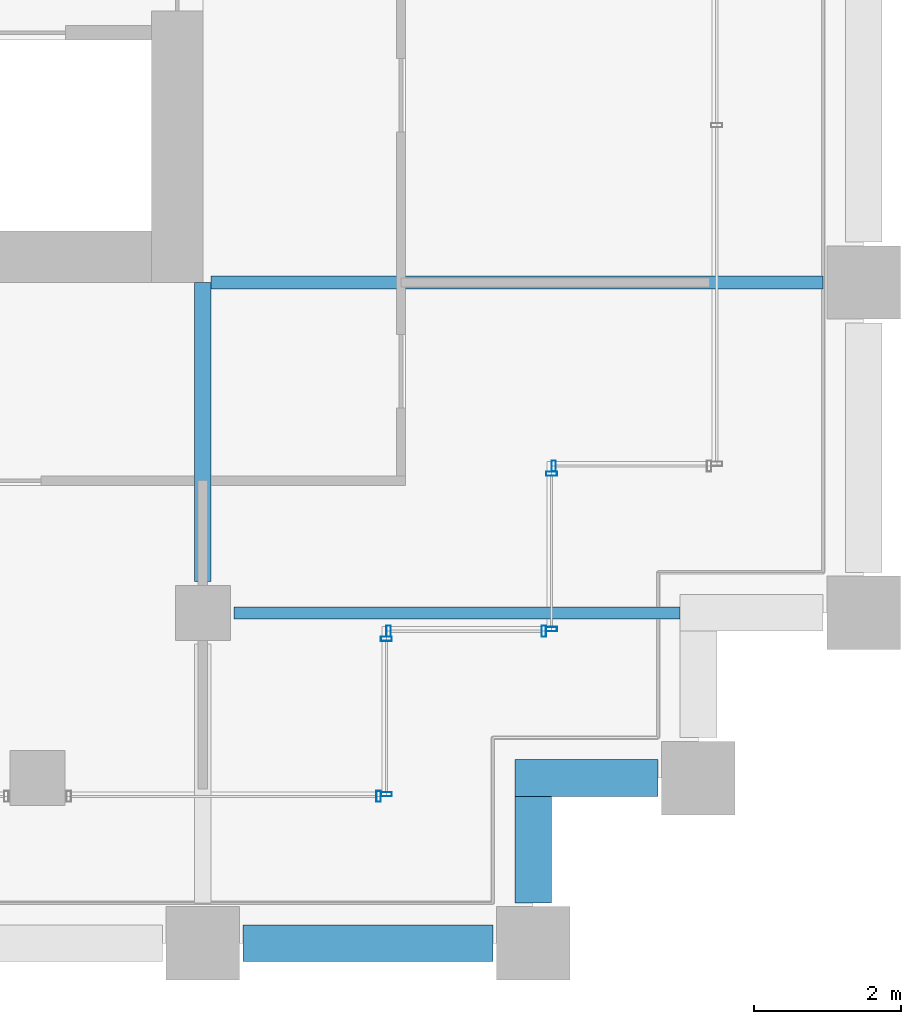
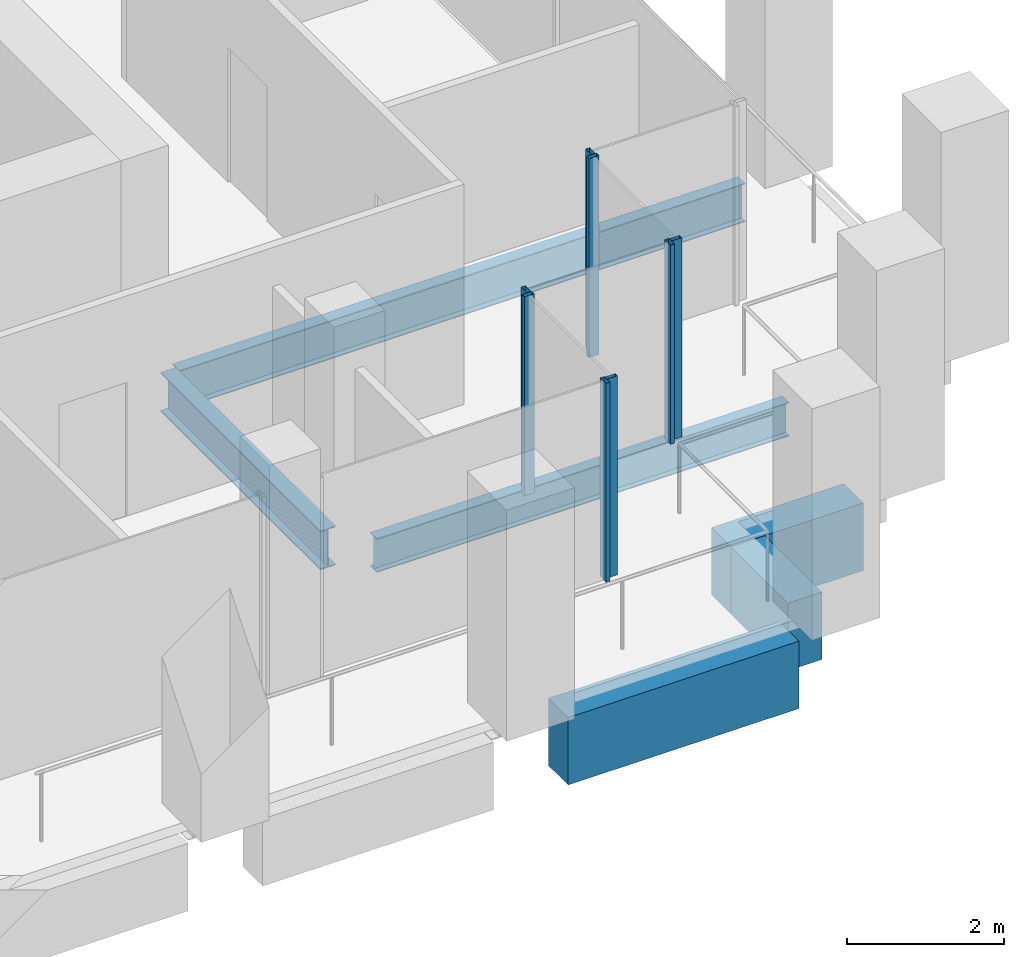
# One storey, part 34 of 52: 8 members, 6 beams, 5 elements without a shape of their own.
"""IFC4 building model written with IfcOpenShell, lengths in metres."""

from ifc_helpers import new_model, si_unit, direction, frame, origin, origin_2d, place, context, subcontext, project, spatial, rectangle, hollow_rectangle, i_section, extrude, material, material_profile, profile_set, type_object, element, aggregate, save


model = new_model("IFC4")

# Units and contexts
model_context = context("Model", 3, precision=1e-05, world=origin(), true_north=direction((0.0, 1.0)))
body_context = subcontext(model_context, "Body", "Model", "MODEL_VIEW")
ifc_project = project(units=[si_unit("LENGTHUNIT", "METRE"), si_unit("AREAUNIT", "SQUARE_METRE"), si_unit("VOLUMEUNIT", "CUBIC_METRE"), si_unit("PLANEANGLEUNIT", "RADIAN"), si_unit("MASSUNIT", "GRAM", prefix="KILO")], contexts=[model_context])

# Site, building, storey
site_placement = place(None, origin())
site = spatial("IfcSite", under=ifc_project, at=site_placement, CompositionType="ELEMENT")
building_placement = place(site_placement, origin())
building = spatial("IfcBuilding", under=site, at=building_placement, Name="Altepetl Exchange Towers", CompositionType="ELEMENT")
storey_placement = place(building_placement, frame((0.0, 0.0, 92.0)))
storey = spatial("IfcBuildingStorey", under=building, at=storey_placement, Name="L22", CompositionType="ELEMENT", Elevation=92.0)

# Beams
ifc_material_1 = material(Name="Steel S355", Category="steel")
ifc_material_profile_1 = material_profile(ifc_material_1, i_section(OverallWidth=0.166015625, OverallDepth=0.529052734375, WebThickness=0.009765625, FlangeThickness=0.013671875, at=origin_2d()), Name="W21X50")
ifc_profile_set_1 = profile_set([ifc_material_profile_1], Name="Steel S355")
beam_type_1 = type_object("IfcBeamType", Name="Floor beam W21X50", PredefinedType="BEAM", material=ifc_profile_set_1)
beam_1_placement = place(storey_placement, frame((117.425048828125, 31.5, -0.41455078125), z_axis=(1.0, 0.0, 0.0), x_axis=(0.0, 1.0, 0.0)))
element("IfcBeam", 1, at=beam_1_placement, inside=storey, type_object=beam_type_1, Name="bm:B:L22:000", PredefinedType="BEAM", context=body_context, shape_type="SweptSolid", body=[
    extrude(i_section(OverallWidth=0.166015625, OverallDepth=0.529052734375, WebThickness=0.009765625, FlangeThickness=0.013671875, at=origin_2d()), origin(), (0.0, 0.0, 1.0), 6.074951171875),
])
ifc_material_profile_2 = material_profile(ifc_material_1, i_section(OverallWidth=0.177978515625, OverallDepth=0.59912109375, WebThickness=0.010009765625, FlangeThickness=0.0126953125, at=origin_2d()), Name="W24X55")
ifc_profile_set_2 = profile_set([ifc_material_profile_2], Name="Steel S355")
beam_type_2 = type_object("IfcBeamType", Name="Floor beam W24X55", PredefinedType="BEAM", material=ifc_profile_set_2)
beam_2_placement = place(storey_placement, frame((117.114013671875, 36.0, -0.449462890625), z_axis=(1.0, 0.0, 0.0), x_axis=(0.0, 1.0, 0.0)))
element("IfcBeam", 2, at=beam_2_placement, inside=storey, type_object=beam_type_2, Name="bm:B:L22:001", PredefinedType="BEAM", context=body_context, shape_type="SweptSolid", body=[
    extrude(i_section(OverallWidth=0.177978515625, OverallDepth=0.59912109375, WebThickness=0.010009765625, FlangeThickness=0.0126953125, at=origin_2d()), origin(), (0.0, 0.0, 1.0), 8.3359375),
])
ifc_material_profile_3 = material_profile(ifc_material_1, i_section(OverallWidth=0.22802734375, OverallDepth=0.60791015625, WebThickness=0.01123046875, FlangeThickness=0.017333984375, at=origin_2d()), Name="W24X76")
ifc_profile_set_3 = profile_set([ifc_material_profile_3], Name="Steel S355")
beam_type_3 = type_object("IfcBeamType", Name="Girder W24X76", PredefinedType="BEAM", material=ifc_profile_set_3)
beam_3_placement = place(storey_placement, frame((117.0, 36.0, -0.4541015625), z_axis=(0.0, -1.0, 0.0), x_axis=(1.0, 0.0, 0.0)))
element("IfcBeam", 3, at=beam_3_placement, inside=storey, type_object=beam_type_3, Name="gd:B:L22:000", PredefinedType="BEAM", context=body_context, shape_type="SweptSolid", body=[
    extrude(i_section(OverallWidth=0.22802734375, OverallDepth=0.60791015625, WebThickness=0.01123046875, FlangeThickness=0.017333984375, at=origin_2d()), origin(), (0.0, 0.0, 1.0), 4.074951171875),
])

# Curtain wall, member
ifc_material_2 = material(Name="Aluminium 6063-T6 glazing", Category="aluminium")
curtain_wall_type = type_object("IfcCurtainWallType", Name="Loggia glazing system", PredefinedType="NOTDEFINED", material=ifc_material_2)
curtain_wall_1_placement = place(storey_placement, origin())
curtain_wall_1 = element("IfcCurtainWall", 4, at=curtain_wall_1_placement, inside=storey, type_object=curtain_wall_type, Name="CW1 run", PredefinedType="NOTDEFINED")
ifc_material_3 = material(Name="Aluminium 6063-T6", Category="aluminium")
ifc_material_profile_4 = material_profile(ifc_material_3, hollow_rectangle(XDim=0.06005859375, YDim=0.14990234375, WallThickness=0.0029296875, at=origin_2d()), Name="Mullion 60x150 aluminium")
ifc_profile_set_4 = profile_set([ifc_material_profile_4], Name="Aluminium 6063-T6")
member_type = type_object("IfcMemberType", Name="Mullion 60x150 aluminium", PredefinedType="MULLION", material=ifc_profile_set_4)
member_1_placement = place(storey_placement, frame((119.39501953125, 29.0, 0.0)))
member_1 = element("IfcMember", 5, at=member_1_placement, type_object=member_type, Name="MU1 mullion", PredefinedType="MULLION", context=body_context, shape_type="SweptSolid", body=[
    extrude(hollow_rectangle(XDim=0.06005859375, YDim=0.14990234375, WallThickness=0.0029296875, at=origin_2d()), origin(), (0.0, 0.0, 1.0), 3.10009765625),
])
aggregate(curtain_wall_1, [member_1])

# Curtain wall, members
curtain_wall_2_placement = place(storey_placement, origin())
curtain_wall_2 = element("IfcCurtainWall", 6, at=curtain_wall_2_placement, inside=storey, type_object=curtain_wall_type, Name="CW1 run", PredefinedType="NOTDEFINED")
member_2_placement = place(storey_placement, frame((119.5, 29.030029296875, 0.0), z_axis=(0.0, 0.0, 1.0), x_axis=(0.0, 1.0, 0.0)))
member_2 = element("IfcMember", 7, at=member_2_placement, type_object=member_type, Name="MU1 mullion", PredefinedType="MULLION", context=body_context, shape_type="SweptSolid", body=[
    extrude(hollow_rectangle(XDim=0.06005859375, YDim=0.14990234375, WallThickness=0.0029296875, at=origin_2d()), origin(), (0.0, 0.0, 1.0), 3.10009765625),
])
member_3_placement = place(storey_placement, frame((119.5, 31.14501953125, 0.0), z_axis=(0.0, 0.0, 1.0), x_axis=(0.0, 1.0, 0.0)))
member_3 = element("IfcMember", 8, at=member_3_placement, type_object=member_type, Name="MU1 mullion", PredefinedType="MULLION", context=body_context, shape_type="SweptSolid", body=[
    extrude(hollow_rectangle(XDim=0.06005859375, YDim=0.14990234375, WallThickness=0.0029296875, at=origin_2d()), origin(), (0.0, 0.0, 1.0), 3.10009765625),
])
aggregate(curtain_wall_2, [member_2, member_3])

curtain_wall_3_placement = place(storey_placement, origin())
curtain_wall_3 = element("IfcCurtainWall", 9, at=curtain_wall_3_placement, inside=storey, type_object=curtain_wall_type, Name="CW1 run", PredefinedType="NOTDEFINED")
member_4_placement = place(storey_placement, frame((119.530029296875, 31.25, 0.0)))
member_4 = element("IfcMember", 10, at=member_4_placement, type_object=member_type, Name="MU1 mullion", PredefinedType="MULLION", context=body_context, shape_type="SweptSolid", body=[
    extrude(hollow_rectangle(XDim=0.06005859375, YDim=0.14990234375, WallThickness=0.0029296875, at=origin_2d()), origin(), (0.0, 0.0, 1.0), 3.10009765625),
])
member_5_placement = place(storey_placement, frame((121.64501953125, 31.25, 0.0)))
member_5 = element("IfcMember", 11, at=member_5_placement, type_object=member_type, Name="MU1 mullion", PredefinedType="MULLION", context=body_context, shape_type="SweptSolid", body=[
    extrude(hollow_rectangle(XDim=0.06005859375, YDim=0.14990234375, WallThickness=0.0029296875, at=origin_2d()), origin(), (0.0, 0.0, 1.0), 3.10009765625),
])
aggregate(curtain_wall_3, [member_4, member_5])

curtain_wall_4_placement = place(storey_placement, origin())
curtain_wall_4 = element("IfcCurtainWall", 12, at=curtain_wall_4_placement, inside=storey, type_object=curtain_wall_type, Name="CW1 run", PredefinedType="NOTDEFINED")
member_6_placement = place(storey_placement, frame((121.75, 31.280029296875, 0.0), z_axis=(0.0, 0.0, 1.0), x_axis=(0.0, 1.0, 0.0)))
member_6 = element("IfcMember", 13, at=member_6_placement, type_object=member_type, Name="MU1 mullion", PredefinedType="MULLION", context=body_context, shape_type="SweptSolid", body=[
    extrude(hollow_rectangle(XDim=0.06005859375, YDim=0.14990234375, WallThickness=0.0029296875, at=origin_2d()), origin(), (0.0, 0.0, 1.0), 3.10009765625),
])
member_7_placement = place(storey_placement, frame((121.75, 33.39501953125, 0.0), z_axis=(0.0, 0.0, 1.0), x_axis=(0.0, 1.0, 0.0)))
member_7 = element("IfcMember", 14, at=member_7_placement, type_object=member_type, Name="MU1 mullion", PredefinedType="MULLION", context=body_context, shape_type="SweptSolid", body=[
    extrude(hollow_rectangle(XDim=0.06005859375, YDim=0.14990234375, WallThickness=0.0029296875, at=origin_2d()), origin(), (0.0, 0.0, 1.0), 3.10009765625),
])
aggregate(curtain_wall_4, [member_6, member_7])

# Curtain wall, member
curtain_wall_5_placement = place(storey_placement, origin())
curtain_wall_5 = element("IfcCurtainWall", 15, at=curtain_wall_5_placement, inside=storey, type_object=curtain_wall_type, Name="CW1 run", PredefinedType="NOTDEFINED")
member_8_placement = place(storey_placement, frame((121.780029296875, 33.5, 0.0)))
member_8 = element("IfcMember", 16, at=member_8_placement, type_object=member_type, Name="MU1 mullion", PredefinedType="MULLION", context=body_context, shape_type="SweptSolid", body=[
    extrude(hollow_rectangle(XDim=0.06005859375, YDim=0.14990234375, WallThickness=0.0029296875, at=origin_2d()), origin(), (0.0, 0.0, 1.0), 3.10009765625),
])
aggregate(curtain_wall_5, [member_8])

# Beams
ifc_material_4 = material(Name="Concrete C50/60 precast with cantera blanca facing", Category="concrete")
ifc_material_profile_5 = material_profile(ifc_material_4, rectangle(XDim=0.5, YDim=1.050048828125, at=origin_2d()), Name="500 x 1050")
ifc_profile_set_5 = profile_set([ifc_material_profile_5], Name="Concrete C50/60 precast with cantera blanca facing")
beam_type_4 = type_object("IfcBeamType", Name="Spandrel beam 500x1050 cantera blanca", PredefinedType="SPANDREL", material=ifc_profile_set_5)
beam_4_placement = place(storey_placement, frame((117.550048828125, 27.0, -0.675048828125), z_axis=(1.0, 0.0, 0.0), x_axis=(0.0, 1.0, 0.0)))
element("IfcBeam", 17, at=beam_4_placement, inside=storey, type_object=beam_type_4, Name="sp:B:L22:004", PredefinedType="SPANDREL", context=body_context, shape_type="SweptSolid", body=[
    extrude(rectangle(XDim=0.5, YDim=1.050048828125, at=origin_2d()), origin(), (0.0, 0.0, 1.0), 3.39990234375),
])
beam_5_placement = place(storey_placement, frame((121.5, 27.550048828125, -0.675048828125), z_axis=(0.0, 1.0, 0.0), x_axis=(-1.0, 0.0, 0.0)))
element("IfcBeam", 18, at=beam_5_placement, inside=storey, type_object=beam_type_4, Name="sp:B:L22:005", PredefinedType="SPANDREL", context=body_context, shape_type="SweptSolid", body=[
    extrude(rectangle(XDim=0.5, YDim=1.050048828125, at=origin_2d()), origin(), (0.0, 0.0, 1.0), 1.449951171875),
])
beam_6_placement = place(storey_placement, frame((121.25, 29.25, -0.675048828125), z_axis=(1.0, 0.0, 0.0), x_axis=(0.0, 1.0, 0.0)))
element("IfcBeam", 19, at=beam_6_placement, inside=storey, type_object=beam_type_4, Name="sp:B:L22:006", PredefinedType="SPANDREL", context=body_context, shape_type="SweptSolid", body=[
    extrude(rectangle(XDim=0.5, YDim=1.050048828125, at=origin_2d()), origin(), (0.0, 0.0, 1.0), 1.949951171875),
])

save(model, "model.ifc")
